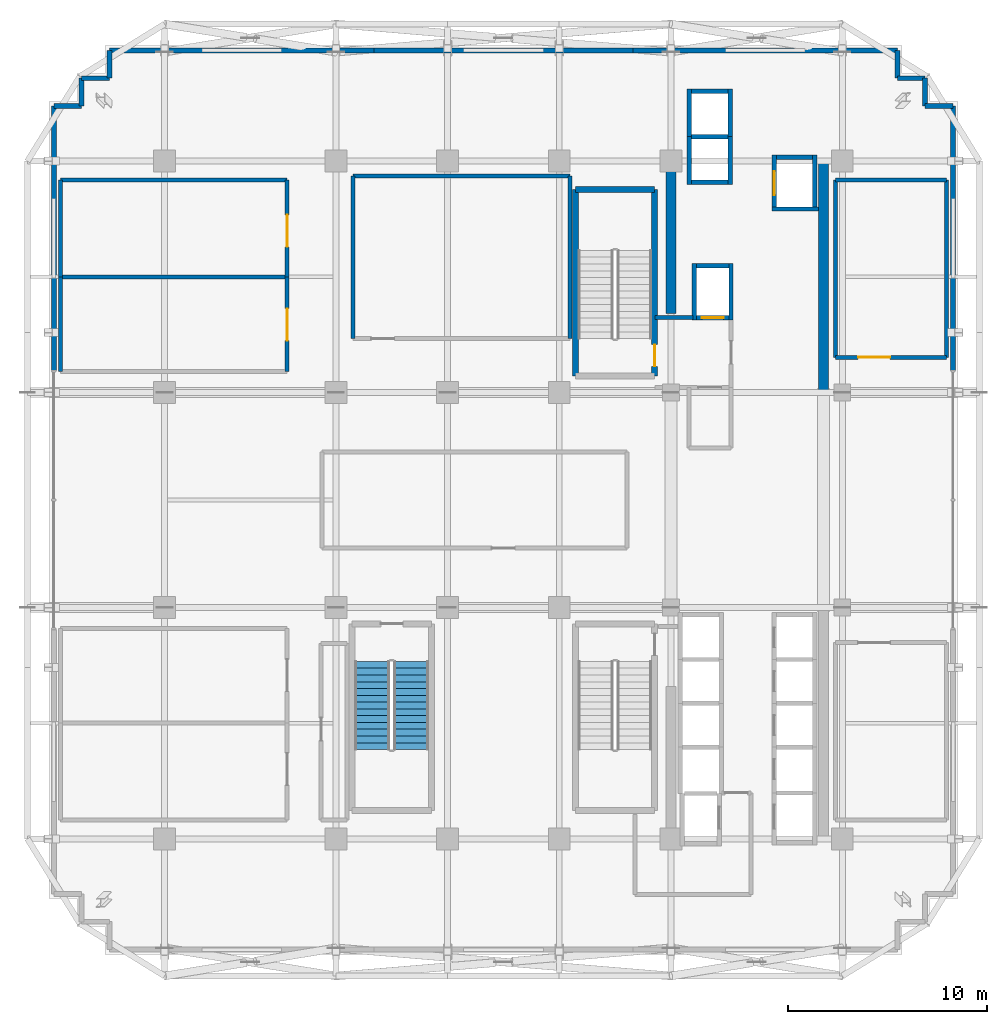
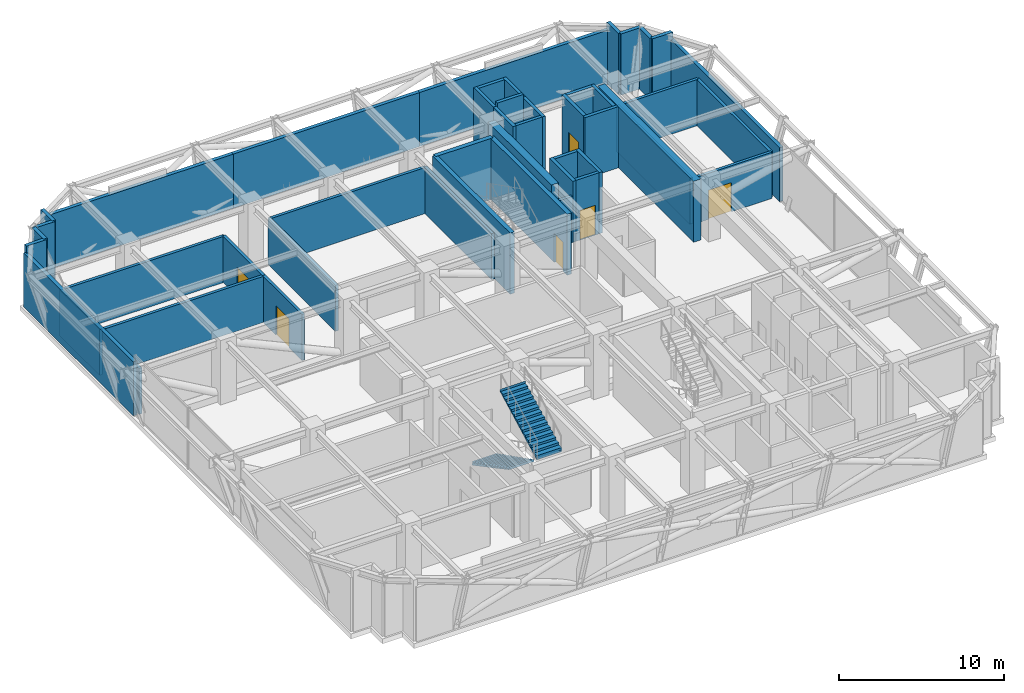
# One storey, part 11 of 16: 47 walls, 6 doors, 2 stair flights, 6 openings, 1 element without a shape of its own.
"""IFC4 building model written with IfcOpenShell, lengths in metres."""

from ifc_helpers import new_model, si_unit, direction, frame, frame_2d, origin, place, context, subcontext, project, spatial, polyline, rectangle, outline, extrude, source, transform, mapped, material, layer, layer_set, type_object, element, fill, aggregate, save


model = new_model("IFC4")

# Units and contexts
model_context = context("Model", 3, precision=1e-05, world=origin(), true_north=direction((0.0, 1.0)))
body_context = subcontext(model_context, "Body", "Model", "MODEL_VIEW")
ifc_project = project(units=[si_unit("LENGTHUNIT", "METRE"), si_unit("AREAUNIT", "SQUARE_METRE"), si_unit("VOLUMEUNIT", "CUBIC_METRE"), si_unit("PLANEANGLEUNIT", "RADIAN"), si_unit("MASSUNIT", "GRAM", prefix="KILO")], contexts=[model_context])

# Site, building, storey
site_placement = place(None, origin())
site = spatial("IfcSite", under=ifc_project, at=site_placement, CompositionType="ELEMENT")
building_placement = place(site_placement, origin())
building = spatial("IfcBuilding", under=site, at=building_placement, Name="Nahalor Promenade Grand Hotel", CompositionType="ELEMENT")
storey_placement = place(building_placement, frame((0.0, 0.0, 200.10009765625)))
storey = spatial("IfcBuildingStorey", under=building, at=storey_placement, Name="L51", CompositionType="ELEMENT", Elevation=200.10009765625)

# Walls
ifc_material_1 = material(Name="Concrete B-60 (C50/60)", Category="concrete")
ifc_layer_1 = layer(ifc_material_1, 0.5)
ifc_layer_set_1 = layer_set([ifc_layer_1], Name="Concrete B-60 (C50/60)")
wall_type_1 = type_object("IfcWallType", Name="Wall-CoreShear-500", PredefinedType="SHEAR", material=ifc_layer_set_1)
shared_shape_1 = source(origin(), body_context, "Body", "SweptSolid", [
    extrude(rectangle(XDim=7.64990234375, YDim=0.5, at=frame_2d((3.824951171875, 0.0))), origin(), (0.0, 0.0, 1.0), 4.510009765625),
])
wall_1_placement = place(storey_placement, frame((8.39990234375, 9.35009765625, 0.0), z_axis=(0.0, 0.0, 1.0), x_axis=(0.0, 1.0, 0.0)))
element("IfcWall", 1, at=wall_1_placement, inside=storey, type_object=wall_type_1, Name="CWALL-L51-NW", PredefinedType="SHEAR", context=body_context, shape_type="MappedRepresentation", body=[
    mapped(shared_shape_1, transform((0.0, 0.0, 0.0), scale=1.0)),
])
shared_shape_2 = source(origin(), body_context, "Body", "SweptSolid", [
    extrude(rectangle(XDim=11.60009765625, YDim=0.5, at=frame_2d((5.800048828125, 0.0))), origin(), (0.0, 0.0, 1.0), 4.510009765625),
])
wall_2_placement = place(storey_placement, frame((16.050048828125, 5.39990234375, 0.0), z_axis=(0.0, 0.0, 1.0), x_axis=(0.0, 1.0, 0.0)))
element("IfcWall", 2, at=wall_2_placement, inside=storey, type_object=wall_type_1, Name="CWALL-L51-NE", PredefinedType="SHEAR", context=body_context, shape_type="MappedRepresentation", body=[
    mapped(shared_shape_2, transform((0.0, 0.0, 0.0), scale=1.0)),
])
ifc_material_2 = material(Name="Concrete B-50 (C40/50)", Category="concrete")
ifc_layer_2 = layer(ifc_material_2, 0.300048828125)
ifc_layer_set_2 = layer_set([ifc_layer_2], Name="Concrete B-50 (C40/50)")
wall_type_2 = type_object("IfcWallType", Name="Wall-ShaftShear-300", PredefinedType="SHEAR", material=ifc_layer_set_2)
shared_shape_3 = source(origin(), body_context, "Body", "SweptSolid", [
    extrude(rectangle(XDim=3.97998046875, YDim=0.300048828125, at=frame_2d((1.989990234375, 0.0))), origin(), (0.0, 0.0, 1.0), 4.510009765625),
])
wall_3_placement = place(storey_placement, frame((3.610107421875, 15.590087890625, 0.0), z_axis=(0.0, 0.0, 1.0), x_axis=(1.0, 0.0, 0.0)))
element("IfcWall", 3, at=wall_3_placement, inside=storey, type_object=wall_type_2, Name="L51 Exit Stair ST1 Shaft Wall N", PredefinedType="SHEAR", context=body_context, shape_type="MappedRepresentation", body=[
    mapped(shared_shape_3, transform((0.0, 0.0, 0.0), scale=1.0)),
])
shared_shape_4 = source(origin(), body_context, "Body", "SweptSolid", [
    extrude(rectangle(XDim=9.380126953125, YDim=0.300048828125, at=frame_2d((4.68994140625, 0.0))), origin(), (0.0, 0.0, 1.0), 4.510009765625),
])
wall_4_placement = place(storey_placement, frame((3.610107421875, 6.2099609375, 0.0), z_axis=(0.0, 0.0, 1.0), x_axis=(0.0, 1.0, 0.0)))
element("IfcWall", 4, at=wall_4_placement, inside=storey, type_object=wall_type_2, Name="L51 Exit Stair ST1 Shaft Wall W", PredefinedType="SHEAR", context=body_context, shape_type="MappedRepresentation", body=[
    mapped(shared_shape_4, transform((0.0, 0.0, 0.0), scale=1.0)),
])

# Wall, opening, door
wall_5_placement = place(storey_placement, frame((7.590087890625, 6.2099609375, 0.0), z_axis=(0.0, 0.0, 1.0), x_axis=(0.0, 1.0, 0.0)))
wall_5 = element("IfcWall", 5, at=wall_5_placement, inside=storey, type_object=wall_type_2, Name="L51 Exit Stair ST1 Shaft Wall E", PredefinedType="SHEAR", context=body_context, shape_type="MappedRepresentation", body=[
    mapped(shared_shape_4, transform((0.0, 0.0, 0.0), scale=1.0)),
])
opening_1_placement = place(wall_5_placement, frame((0.489990234375, 0.0, 0.0)))
opening_1 = element("IfcOpeningElement", 6, at=opening_1_placement, cuts=wall_5, Name="Opening D-ST1", PredefinedType="OPENING", context=body_context, shape_type="SweptSolid", body=[
    extrude(rectangle(XDim=1.10009765625, YDim=2.14990234375, at=frame_2d((0.550048828125, 1.074951171875))), frame((0.0, 0.159912109375, 0.0), z_axis=(0.0, -1.0, 0.0), x_axis=(1.0, 0.0, 0.0)), (0.0, 0.0, 1.0), 0.320068359375),
])
ifc_material_3 = material(Name="Steel S355JR", Category="steel")
door_type_1 = type_object("IfcDoorType", Name="Door-StairFire-1100", OperationType="NOTDEFINED", PredefinedType="DOOR", material=ifc_material_3)
shared_shape_5 = source(origin(), body_context, "Body", "SweptSolid", [
    extrude(rectangle(XDim=1.10009765625, YDim=2.14990234375, at=frame_2d((0.550048828125, 1.074951171875))), frame((0.0, 0.02490234375, 0.0), z_axis=(0.0, -1.0, 0.0), x_axis=(1.0, 0.0, 0.0)), (0.0, 0.0, 1.0), 0.050048828125),
])
door_1_placement = place(opening_1_placement, origin())
door_1 = element("IfcDoor", 7, at=door_1_placement, inside=storey, type_object=door_type_1, Name="DR-STAIR-ST1-L51", OperationType="SINGLE_SWING_RIGHT", OverallHeight=2.14990234375, OverallWidth=1.10009765625, PredefinedType="DOOR", context=body_context, shape_type="MappedRepresentation", body=[
    mapped(shared_shape_5, transform((0.0, 0.0, 0.0), scale=1.0)),
])
fill(opening_1, door_1)

# Walls
ifc_layer_3 = layer(ifc_material_2, 0.219970703125)
ifc_layer_set_3 = layer_set([ifc_layer_3], Name="Concrete B-50 (C40/50)")
wall_type_3 = type_object("IfcWallType", Name="Wall-LiftShaft-220", PredefinedType="SHEAR", material=ifc_layer_set_3)
shared_shape_6 = source(origin(), body_context, "Body", "SweptSolid", [
    extrude(rectangle(XDim=1.820068359375, YDim=0.219970703125, at=frame_2d((0.91015625, 0.0))), origin(), (0.0, 0.0, 1.0), 4.510009765625),
])
for number, where, z_axis, x_axis, name in (
    (8, (9.43994140625, 15.949951171875, 0.0), (0.0, 0.0, 1.0), (1.0, 0.0, 0.0), "L51 Lift OB1 Hoistway Wall S"),
    (9, (9.43994140625, 20.5, 0.0), (0.0, 0.0, 1.0), (1.0, 0.0, 0.0), "L51 Lift OB2 Hoistway Wall N"),
    (10, (13.68994140625, 17.199951171875, 0.0), (0.0, 0.0, 1.0), (1.0, 0.0, 0.0), "L51 Lift SV1 Hoistway Wall N"),
):
    element("IfcWall", number, at=place(storey_placement, frame(where, z_axis=z_axis, x_axis=x_axis)), inside=storey, type_object=wall_type_3, Name=name, PredefinedType="SHEAR", context=body_context, shape_type="MappedRepresentation", body=[
        mapped(shared_shape_6, transform((0.0, 0.0, 0.0), scale=1.0)),
    ])
shared_shape_7 = source(origin(), body_context, "Body", "SweptSolid", [
    extrude(rectangle(XDim=1.820068359375, YDim=0.219970703125, at=frame_2d((0.91015625, 0.0))), origin(), (0.0, 0.0, 1.0), 4.7998046875),
])
wall_6_placement = place(storey_placement, frame((9.43994140625, 18.22509765625, 0.0), z_axis=(0.0, 0.0, 1.0), x_axis=(1.0, 0.0, 0.0)))
element("IfcWall", 11, at=wall_6_placement, inside=storey, type_object=wall_type_3, Name="L51 Lift OB1 Hoistway Wall N", PredefinedType="SHEAR", context=body_context, shape_type="MappedRepresentation", body=[
    mapped(shared_shape_7, transform((0.0, 0.0, 0.0), scale=1.0)),
])
shared_shape_8 = source(origin(), body_context, "Body", "SweptSolid", [
    extrude(rectangle(XDim=2.385009765625, YDim=0.219970703125, at=frame_2d((1.1923828125, 0.0))), origin(), (0.0, 0.0, 1.0), 4.510009765625),
])
for number, where, z_axis, x_axis, name in (
    (12, (9.330078125, 15.840087890625, 0.0), (0.0, 0.0, 1.0), (0.0, 1.0, 0.0), "L51 Lift OB1 Hoistway Wall W"),
    (13, (11.3701171875, 15.840087890625, 0.0), (0.0, 0.0, 1.0), (0.0, 1.0, 0.0), "L51 Lift OB1 Hoistway Wall E"),
    (14, (9.330078125, 18.22509765625, 0.0), (0.0, 0.0, 1.0), (0.0, 1.0, 0.0), "L51 Lift OB2 Hoistway Wall W"),
    (15, (11.3701171875, 18.22509765625, 0.0), (0.0, 0.0, 1.0), (0.0, 1.0, 0.0), "L51 Lift OB2 Hoistway Wall E"),
):
    element("IfcWall", number, at=place(storey_placement, frame(where, z_axis=z_axis, x_axis=x_axis)), inside=storey, type_object=wall_type_3, Name=name, PredefinedType="SHEAR", context=body_context, shape_type="MappedRepresentation", body=[
        mapped(shared_shape_8, transform((0.0, 0.0, 0.0), scale=1.0)),
    ])
shared_shape_9 = source(origin(), body_context, "Body", "SweptSolid", [
    extrude(rectangle(XDim=2.820068359375, YDim=0.219970703125, at=frame_2d((1.41015625, 0.0))), origin(), (0.0, 0.0, 1.0), 4.510009765625),
])
for number, where, z_axis, x_axis, name in (
    (16, (9.580078125, 9.0400390625, 0.0), (0.0, 0.0, 1.0), (0.0, 1.0, 0.0), "L51 Lift FL1 Hoistway Wall W"),
    (17, (11.419921875, 9.0400390625, 0.0), (0.0, 0.0, 1.0), (0.0, 1.0, 0.0), "L51 Lift FL1 Hoistway Wall E"),
):
    element("IfcWall", number, at=place(storey_placement, frame(where, z_axis=z_axis, x_axis=x_axis)), inside=storey, type_object=wall_type_3, Name=name, PredefinedType="SHEAR", context=body_context, shape_type="MappedRepresentation", body=[
        mapped(shared_shape_9, transform((0.0, 0.0, 0.0), scale=1.0)),
    ])

# Wall, opening, door
shared_shape_10 = source(origin(), body_context, "Body", "SweptSolid", [
    extrude(rectangle(XDim=1.6201171875, YDim=0.219970703125, at=frame_2d((0.81005859375, 0.0))), origin(), (0.0, 0.0, 1.0), 4.510009765625),
])
wall_7_placement = place(storey_placement, frame((9.68994140625, 9.14990234375, 0.0), z_axis=(0.0, 0.0, 1.0), x_axis=(1.0, 0.0, 0.0)))
wall_7 = element("IfcWall", 18, at=wall_7_placement, inside=storey, type_object=wall_type_3, Name="L51 Lift FL1 Hoistway Wall S", PredefinedType="SHEAR", context=body_context, shape_type="MappedRepresentation", body=[
    mapped(shared_shape_10, transform((0.0, 0.0, 0.0), scale=1.0)),
])
opening_2_placement = place(wall_7_placement, frame((0.260009765625, 0.0, 0.0)))
opening_2 = element("IfcOpeningElement", 19, at=opening_2_placement, cuts=wall_7, Name="Opening LD-02", PredefinedType="OPENING", context=body_context, shape_type="SweptSolid", body=[
    extrude(rectangle(XDim=1.10009765625, YDim=2.199951171875, at=frame_2d((0.550048828125, 1.10009765625))), frame((0.0, 0.119873046875, 0.0), z_axis=(0.0, -1.0, 0.0), x_axis=(1.0, 0.0, 0.0)), (0.0, 0.0, 1.0), 0.239990234375),
])
door_type_2 = type_object("IfcDoorType", Name="Door-LiftFF-1100", OperationType="DOUBLE_DOOR_SLIDING", PredefinedType="DOOR", material=ifc_material_3)
shared_shape_11 = source(origin(), body_context, "Body", "SweptSolid", [
    extrude(rectangle(XDim=1.10009765625, YDim=2.199951171875, at=frame_2d((0.550048828125, 1.10009765625))), frame((0.0, 0.02490234375, 0.0), z_axis=(0.0, -1.0, 0.0), x_axis=(1.0, 0.0, 0.0)), (0.0, 0.0, 1.0), 0.050048828125),
])
door_2_placement = place(opening_2_placement, frame((1.10009765625, 0.0, 0.0), z_axis=(0.0, 0.0, 1.0), x_axis=(-1.0, 0.0, 0.0)))
door_2 = element("IfcDoor", 20, at=door_2_placement, inside=storey, type_object=door_type_2, Name="DR-LIFT-FL1-L51", OperationType="DOUBLE_DOOR_SLIDING", OverallHeight=2.199951171875, OverallWidth=1.10009765625, PredefinedType="DOOR", context=body_context, shape_type="MappedRepresentation", body=[
    mapped(shared_shape_11, transform((0.0, 0.0, 0.0), scale=1.0)),
])
fill(opening_2, door_2)

# Wall
wall_8_placement = place(storey_placement, frame((9.68994140625, 11.75, 0.0), z_axis=(0.0, 0.0, 1.0), x_axis=(1.0, 0.0, 0.0)))
element("IfcWall", 21, at=wall_8_placement, inside=storey, type_object=wall_type_3, Name="L51 Lift FL1 Hoistway Wall N", PredefinedType="SHEAR", context=body_context, shape_type="MappedRepresentation", body=[
    mapped(shared_shape_10, transform((0.0, 0.0, 0.0), scale=1.0)),
])

# Wall, opening, door
shared_shape_12 = source(origin(), body_context, "Body", "SweptSolid", [
    extrude(rectangle(XDim=2.60009765625, YDim=0.219970703125, at=frame_2d((1.300048828125, 0.0))), origin(), (0.0, 0.0, 1.0), 4.510009765625),
])
wall_9_placement = place(storey_placement, frame((13.580078125, 14.7099609375, 0.0), z_axis=(0.0, 0.0, 1.0), x_axis=(0.0, 1.0, 0.0)))
wall_9 = element("IfcWall", 22, at=wall_9_placement, inside=storey, type_object=wall_type_3, Name="L51 Lift SV1 Hoistway Wall W", PredefinedType="SHEAR", context=body_context, shape_type="MappedRepresentation", body=[
    mapped(shared_shape_12, transform((0.0, 0.0, 0.0), scale=1.0)),
])
opening_3_placement = place(wall_9_placement, frame((0.590087890625, 0.0, 0.0)))
opening_3 = element("IfcOpeningElement", 23, at=opening_3_placement, cuts=wall_9, Name="Opening LD-03", PredefinedType="OPENING", context=body_context, shape_type="SweptSolid", body=[
    extrude(rectangle(XDim=1.199951171875, YDim=2.199951171875, at=frame_2d((0.60009765625, 1.10009765625))), frame((0.0, 0.119873046875, 0.0), z_axis=(0.0, -1.0, 0.0), x_axis=(1.0, 0.0, 0.0)), (0.0, 0.0, 1.0), 0.239990234375),
])
door_type_3 = type_object("IfcDoorType", Name="Door-LiftService-1200", OperationType="DOUBLE_DOOR_SLIDING", PredefinedType="DOOR", material=ifc_material_3)
shared_shape_13 = source(origin(), body_context, "Body", "SweptSolid", [
    extrude(rectangle(XDim=1.199951171875, YDim=2.199951171875, at=frame_2d((0.60009765625, 1.10009765625))), frame((0.0, 0.02490234375, 0.0), z_axis=(0.0, -1.0, 0.0), x_axis=(1.0, 0.0, 0.0)), (0.0, 0.0, 1.0), 0.050048828125),
])
door_3_placement = place(opening_3_placement, origin())
door_3 = element("IfcDoor", 24, at=door_3_placement, inside=storey, type_object=door_type_3, Name="DR-LIFT-SV1-L51", OperationType="DOUBLE_DOOR_SLIDING", OverallHeight=2.199951171875, OverallWidth=1.199951171875, PredefinedType="DOOR", context=body_context, shape_type="MappedRepresentation", body=[
    mapped(shared_shape_13, transform((0.0, 0.0, 0.0), scale=1.0)),
])
fill(opening_3, door_3)

# Walls
wall_10_placement = place(storey_placement, frame((15.6201171875, 14.7099609375, 0.0), z_axis=(0.0, 0.0, 1.0), x_axis=(0.0, 1.0, 0.0)))
element("IfcWall", 25, at=wall_10_placement, inside=storey, type_object=wall_type_3, Name="L51 Lift SV1 Hoistway Wall E", PredefinedType="SHEAR", context=body_context, shape_type="MappedRepresentation", body=[
    mapped(shared_shape_12, transform((0.0, 0.0, 0.0), scale=1.0)),
])
shared_shape_14 = source(origin(), body_context, "Body", "SweptSolid", [
    extrude(rectangle(XDim=2.330078125, YDim=0.219970703125, at=frame_2d((1.1650390625, 0.0))), origin(), (0.0, 0.0, 1.0), 4.510009765625),
])
wall_11_placement = place(storey_placement, frame((13.469970703125, 14.60009765625, 0.0), z_axis=(0.0, 0.0, 1.0), x_axis=(1.0, 0.0, 0.0)))
element("IfcWall", 26, at=wall_11_placement, inside=storey, type_object=wall_type_3, Name="L51 Lift SV1 Hoistway Wall S", PredefinedType="SHEAR", context=body_context, shape_type="MappedRepresentation", body=[
    mapped(shared_shape_14, transform((0.0, 0.0, 0.0), scale=1.0)),
])
ifc_material_4 = material(Name="Concrete B-40 (C32/40)", Category="concrete")
ifc_layer_4 = layer(ifc_material_4, 0.25)
ifc_layer_set_4 = layer_set([ifc_layer_4], Name="Concrete B-40 (C32/40)")
wall_type_4 = type_object("IfcWallType", Name="Wall-BronzePier-250", PredefinedType="STANDARD", material=ifc_layer_set_4)
shared_shape_15 = source(origin(), body_context, "Body", "SweptSolid", [
    extrude(rectangle(XDim=1.400146484375, YDim=0.25, at=frame_2d((0.7001953125, 0.0))), origin(), (0.0, 0.0, 1.0), 4.510009765625),
])
for number, where, z_axis, x_axis, name in (
    (27, (21.159912109375, 19.760009765625, 0.0), (0.0, 0.0, 1.0), (1.0, 0.0, 0.0), "W-L51-SR-05"),
    (28, (19.760009765625, 21.159912109375, 0.0), (0.0, 0.0, 1.0), (0.0, 1.0, 0.0), "W-L51-SR-08"),
    (29, (-19.760009765625, 21.159912109375, 0.0), (0.0, 0.0, 1.0), (0.0, 1.0, 0.0), "W-L51-SR-09"),
    (30, (-22.56005859375, 19.760009765625, 0.0), (0.0, 0.0, 1.0), (1.0, 0.0, 0.0), "W-L51-SR-12"),
):
    element("IfcWall", number, at=place(storey_placement, frame(where, z_axis=z_axis, x_axis=x_axis)), inside=storey, type_object=wall_type_4, Name=name, PredefinedType="STANDARD", context=body_context, shape_type="MappedRepresentation", body=[
        mapped(shared_shape_15, transform((0.0, 0.0, 0.0), scale=1.0)),
    ])
shared_shape_16 = source(origin(), body_context, "Body", "SweptSolid", [
    extrude(rectangle(XDim=1.39990234375, YDim=0.25, at=frame_2d((0.699951171875, 0.0))), origin(), (0.0, 0.0, 1.0), 4.510009765625),
])
for number, where, z_axis, x_axis, name in (
    (31, (21.159912109375, 19.760009765625, 0.0), (0.0, 0.0, 1.0), (0.0, 1.0, 0.0), "W-L51-SR-06"),
    (32, (19.760009765625, 21.159912109375, 0.0), (0.0, 0.0, 1.0), (1.0, 0.0, 0.0), "W-L51-SR-07"),
    (33, (-21.159912109375, 21.159912109375, 0.0), (0.0, 0.0, 1.0), (1.0, 0.0, 0.0), "W-L51-SR-10"),
    (34, (-21.159912109375, 19.760009765625, 0.0), (0.0, 0.0, 1.0), (0.0, 1.0, 0.0), "W-L51-SR-11"),
):
    element("IfcWall", number, at=place(storey_placement, frame(where, z_axis=z_axis, x_axis=x_axis)), inside=storey, type_object=wall_type_4, Name=name, PredefinedType="STANDARD", context=body_context, shape_type="MappedRepresentation", body=[
        mapped(shared_shape_16, transform((0.0, 0.0, 0.0), scale=1.0)),
    ])
shared_shape_17 = source(origin(), body_context, "Body", "SweptSolid", [
    extrude(rectangle(XDim=13.260009765625, YDim=0.25, at=frame_2d((6.6298828125, 0.0))), origin(), (0.0, 0.0, 1.0), 3.989990234375),
])
for number, where, z_axis, x_axis, name in (
    (35, (-19.760009765625, 22.56005859375, 0.0), (0.0, 0.0, 1.0), (1.0, 0.0, 0.0), "W-L51-PL-NL"),
    (36, (6.5, 22.56005859375, 0.0), (0.0, 0.0, 1.0), (1.0, 0.0, 0.0), "W-L51-PL-NR"),
    (37, (-22.56005859375, 6.5, 0.0), (0.0, 0.0, 1.0), (0.0, 1.0, 0.0), "W-L51-PL-WR"),
    (38, (22.56005859375, 6.5, 0.0), (0.0, 0.0, 1.0), (0.0, 1.0, 0.0), "W-L51-PL-ER"),
):
    element("IfcWall", number, at=place(storey_placement, frame(where, z_axis=z_axis, x_axis=x_axis)), inside=storey, type_object=wall_type_4, Name=name, PredefinedType="STANDARD", context=body_context, shape_type="MappedRepresentation", body=[
        mapped(shared_shape_17, transform((0.0, 0.0, 0.0), scale=1.0)),
    ])
shared_shape_18 = source(origin(), body_context, "Body", "SweptSolid", [
    extrude(rectangle(XDim=13.0, YDim=0.25, at=frame_2d((6.5, 0.0))), origin(), (0.0, 0.0, 1.0), 3.989990234375),
])
wall_12_placement = place(storey_placement, frame((-6.5, 22.56005859375, 0.0), z_axis=(0.0, 0.0, 1.0), x_axis=(1.0, 0.0, 0.0)))
element("IfcWall", 39, at=wall_12_placement, inside=storey, type_object=wall_type_4, Name="W-L51-PL-NM", PredefinedType="STANDARD", context=body_context, shape_type="MappedRepresentation", body=[
    mapped(shared_shape_18, transform((0.0, 0.0, 0.0), scale=1.0)),
])
ifc_layer_5 = layer(ifc_material_4, 0.199951171875)
ifc_layer_set_5 = layer_set([ifc_layer_5], Name="Concrete B-40 (C32/40)")
wall_type_5 = type_object("IfcWallType", Name="Wall-PartFire-200", PredefinedType="PARTITIONING", material=ifc_layer_set_5)
shared_shape_19 = source(origin(), body_context, "Body", "SweptSolid", [
    extrude(rectangle(XDim=1.89990234375, YDim=0.199951171875, at=frame_2d((0.949951171875, 0.0))), origin(), (0.0, 0.0, 1.0), 3.39990234375),
])
wall_13_placement = place(storey_placement, frame((7.60009765625, 9.14990234375, 0.0), z_axis=(0.0, 0.0, 1.0), x_axis=(1.0, 0.0, 0.0)))
element("IfcWall", 40, at=wall_13_placement, inside=storey, type_object=wall_type_5, Name="W-L51-FF1-N", PredefinedType="PARTITIONING", context=body_context, shape_type="MappedRepresentation", body=[
    mapped(shared_shape_19, transform((0.0, 0.0, 0.0), scale=1.0)),
])
shared_shape_20 = source(origin(), body_context, "Body", "SweptSolid", [
    extrude(rectangle(XDim=10.89013671875, YDim=0.199951171875, at=frame_2d((5.445068359375, 0.0))), origin(), (0.0, 0.0, 1.0), 3.39990234375),
])
wall_14_placement = place(storey_placement, frame((-7.550048828125, 16.25, 0.0), z_axis=(0.0, 0.0, 1.0), x_axis=(1.0, 0.0, 0.0)))
element("IfcWall", 41, at=wall_14_placement, inside=storey, type_object=wall_type_5, Name="W-L51-REF2-N", PredefinedType="PARTITIONING", context=body_context, shape_type="MappedRepresentation", body=[
    mapped(shared_shape_20, transform((0.0, 0.0, 0.0), scale=1.0)),
])
shared_shape_21 = source(origin(), body_context, "Body", "SweptSolid", [
    extrude(rectangle(XDim=8.14990234375, YDim=0.199951171875, at=frame_2d((4.074951171875, 0.0))), origin(), (0.0, 0.0, 1.0), 3.39990234375),
])
for number, where, z_axis, x_axis, name in (
    (42, (-7.550048828125, 8.10009765625, 0.0), (0.0, 0.0, 1.0), (0.0, 1.0, 0.0), "W-L51-REF2-W"),
    (43, (3.340087890625, 8.10009765625, 0.0), (0.0, 0.0, 1.0), (0.0, 1.0, 0.0), "W-L51-REF2-E"),
):
    element("IfcWall", number, at=place(storey_placement, frame(where, z_axis=z_axis, x_axis=x_axis)), inside=storey, type_object=wall_type_5, Name=name, PredefinedType="PARTITIONING", context=body_context, shape_type="MappedRepresentation", body=[
        mapped(shared_shape_21, transform((0.0, 0.0, 0.0), scale=1.0)),
    ])
shared_shape_22 = source(origin(), body_context, "Body", "SweptSolid", [
    extrude(rectangle(XDim=8.900146484375, YDim=0.199951171875, at=frame_2d((4.4501953125, 0.0))), origin(), (0.0, 0.0, 1.0), 3.39990234375),
])
for number, where, z_axis, x_axis, name in (
    (44, (16.64990234375, 7.14990234375, 0.0), (0.0, 0.0, 1.0), (0.0, 1.0, 0.0), "W-L51-MP5-W"),
    (45, (22.219970703125, 7.14990234375, 0.0), (0.0, 0.0, 1.0), (0.0, 1.0, 0.0), "W-L51-MP5-E"),
):
    element("IfcWall", number, at=place(storey_placement, frame(where, z_axis=z_axis, x_axis=x_axis)), inside=storey, type_object=wall_type_5, Name=name, PredefinedType="PARTITIONING", context=body_context, shape_type="MappedRepresentation", body=[
        mapped(shared_shape_22, transform((0.0, 0.0, 0.0), scale=1.0)),
    ])
shared_shape_23 = source(origin(), body_context, "Body", "SweptSolid", [
    extrude(rectangle(XDim=11.369873046875, YDim=0.199951171875, at=frame_2d((5.68505859375, 0.0))), origin(), (0.0, 0.0, 1.0), 3.39990234375),
])
for number, where, z_axis, x_axis, name in (
    (46, (-22.219970703125, 11.199951171875, 0.0), (0.0, 0.0, 1.0), (1.0, 0.0, 0.0), "W-L51-MP1-N"),
    (47, (-22.219970703125, 16.050048828125, 0.0), (0.0, 0.0, 1.0), (1.0, 0.0, 0.0), "W-L51-MP2-N"),
):
    element("IfcWall", number, at=place(storey_placement, frame(where, z_axis=z_axis, x_axis=x_axis)), inside=storey, type_object=wall_type_5, Name=name, PredefinedType="PARTITIONING", context=body_context, shape_type="MappedRepresentation", body=[
        mapped(shared_shape_23, transform((0.0, 0.0, 0.0), scale=1.0)),
    ])
shared_shape_24 = source(origin(), body_context, "Body", "SweptSolid", [
    extrude(rectangle(XDim=4.75, YDim=0.199951171875, at=frame_2d((2.375, 0.0))), origin(), (0.0, 0.0, 1.0), 3.39990234375),
])
wall_15_placement = place(storey_placement, frame((-22.219970703125, 6.449951171875, 0.0), z_axis=(0.0, 0.0, 1.0), x_axis=(0.0, 1.0, 0.0)))
element("IfcWall", 48, at=wall_15_placement, inside=storey, type_object=wall_type_5, Name="W-L51-MP1-W", PredefinedType="PARTITIONING", context=body_context, shape_type="MappedRepresentation", body=[
    mapped(shared_shape_24, transform((0.0, 0.0, 0.0), scale=1.0)),
])

# Wall, opening, door
wall_16_placement = place(storey_placement, frame((-10.85009765625, 6.449951171875, 0.0), z_axis=(0.0, 0.0, 1.0), x_axis=(0.0, 1.0, 0.0)))
wall_16 = element("IfcWall", 49, at=wall_16_placement, inside=storey, type_object=wall_type_5, Name="W-L51-MP1-E", PredefinedType="PARTITIONING", context=body_context, shape_type="MappedRepresentation", body=[
    mapped(shared_shape_24, transform((0.0, 0.0, 0.0), scale=1.0)),
])
opening_4_placement = place(wall_16_placement, frame((1.550048828125, 0.0, 0.0)))
opening_4 = element("IfcOpeningElement", 50, at=opening_4_placement, cuts=wall_16, Name="Opening D-06", PredefinedType="OPENING", context=body_context, shape_type="SweptSolid", body=[
    extrude(rectangle(XDim=1.60009765625, YDim=2.14990234375, at=frame_2d((0.800048828125, 1.074951171875))), frame((0.0, 0.10986328125, 0.0), z_axis=(0.0, -1.0, 0.0), x_axis=(1.0, 0.0, 0.0)), (0.0, 0.0, 1.0), 0.219970703125),
])
door_type_4 = type_object("IfcDoorType", Name="Door-PlantDouble-1600", OperationType="DOUBLE_DOOR_SINGLE_SWING", PredefinedType="DOOR", material=ifc_material_3)
shared_shape_25 = source(origin(), body_context, "Body", "SweptSolid", [
    extrude(rectangle(XDim=1.60009765625, YDim=2.14990234375, at=frame_2d((0.800048828125, 1.074951171875))), frame((0.0, 0.02490234375, 0.0), z_axis=(0.0, -1.0, 0.0), x_axis=(1.0, 0.0, 0.0)), (0.0, 0.0, 1.0), 0.050048828125),
])
door_4_placement = place(opening_4_placement, origin())
door_4 = element("IfcDoor", 51, at=door_4_placement, inside=storey, type_object=door_type_4, Name="DR-L51-MP1", OperationType="DOUBLE_DOOR_SINGLE_SWING", OverallHeight=2.14990234375, OverallWidth=1.60009765625, PredefinedType="DOOR", context=body_context, shape_type="MappedRepresentation", body=[
    mapped(shared_shape_25, transform((0.0, 0.0, 0.0), scale=1.0)),
])
fill(opening_4, door_4)

# Wall
shared_shape_26 = source(origin(), body_context, "Body", "SweptSolid", [
    extrude(rectangle(XDim=4.85009765625, YDim=0.199951171875, at=frame_2d((2.425048828125, 0.0))), origin(), (0.0, 0.0, 1.0), 3.39990234375),
])
wall_17_placement = place(storey_placement, frame((-22.219970703125, 11.199951171875, 0.0), z_axis=(0.0, 0.0, 1.0), x_axis=(0.0, 1.0, 0.0)))
element("IfcWall", 52, at=wall_17_placement, inside=storey, type_object=wall_type_5, Name="W-L51-MP2-W", PredefinedType="PARTITIONING", context=body_context, shape_type="MappedRepresentation", body=[
    mapped(shared_shape_26, transform((0.0, 0.0, 0.0), scale=1.0)),
])

# Wall, opening, door
wall_18_placement = place(storey_placement, frame((-10.85009765625, 11.199951171875, 0.0), z_axis=(0.0, 0.0, 1.0), x_axis=(0.0, 1.0, 0.0)))
wall_18 = element("IfcWall", 53, at=wall_18_placement, inside=storey, type_object=wall_type_5, Name="W-L51-MP2-E", PredefinedType="PARTITIONING", context=body_context, shape_type="MappedRepresentation", body=[
    mapped(shared_shape_26, transform((0.0, 0.0, 0.0), scale=1.0)),
])
opening_5_placement = place(wall_18_placement, frame((1.5, 0.0, 0.0)))
opening_5 = element("IfcOpeningElement", 54, at=opening_5_placement, cuts=wall_18, Name="Opening D-06", PredefinedType="OPENING", context=body_context, shape_type="SweptSolid", body=[
    extrude(rectangle(XDim=1.60009765625, YDim=2.14990234375, at=frame_2d((0.800048828125, 1.074951171875))), frame((0.0, 0.10986328125, 0.0), z_axis=(0.0, -1.0, 0.0), x_axis=(1.0, 0.0, 0.0)), (0.0, 0.0, 1.0), 0.219970703125),
])
door_5_placement = place(opening_5_placement, origin())
door_5 = element("IfcDoor", 55, at=door_5_placement, inside=storey, type_object=door_type_4, Name="DR-L51-MP2", OperationType="DOUBLE_DOOR_SINGLE_SWING", OverallHeight=2.14990234375, OverallWidth=1.60009765625, PredefinedType="DOOR", context=body_context, shape_type="MappedRepresentation", body=[
    mapped(shared_shape_25, transform((0.0, 0.0, 0.0), scale=1.0)),
])
fill(opening_5, door_5)

shared_shape_27 = source(origin(), body_context, "Body", "SweptSolid", [
    extrude(rectangle(XDim=5.570068359375, YDim=0.199951171875, at=frame_2d((2.78515625, 0.0))), origin(), (0.0, 0.0, 1.0), 3.39990234375),
])
wall_19_placement = place(storey_placement, frame((16.64990234375, 7.14990234375, 0.0), z_axis=(0.0, 0.0, 1.0), x_axis=(1.0, 0.0, 0.0)))
wall_19 = element("IfcWall", 56, at=wall_19_placement, inside=storey, type_object=wall_type_5, Name="W-L51-MP5-S", PredefinedType="PARTITIONING", context=body_context, shape_type="MappedRepresentation", body=[
    mapped(shared_shape_27, transform((0.0, 0.0, 0.0), scale=1.0)),
])
opening_6_placement = place(wall_19_placement, frame((1.14990234375, 0.0, 0.0)))
opening_6 = element("IfcOpeningElement", 57, at=opening_6_placement, cuts=wall_19, Name="Opening D-06", PredefinedType="OPENING", context=body_context, shape_type="SweptSolid", body=[
    extrude(rectangle(XDim=1.60009765625, YDim=2.14990234375, at=frame_2d((0.800048828125, 1.074951171875))), frame((0.0, 0.10986328125, 0.0), z_axis=(0.0, -1.0, 0.0), x_axis=(1.0, 0.0, 0.0)), (0.0, 0.0, 1.0), 0.219970703125),
])
door_6_placement = place(opening_6_placement, origin())
door_6 = element("IfcDoor", 58, at=door_6_placement, inside=storey, type_object=door_type_4, Name="DR-L51-MP5", OperationType="DOUBLE_DOOR_SINGLE_SWING", OverallHeight=2.14990234375, OverallWidth=1.60009765625, PredefinedType="DOOR", context=body_context, shape_type="MappedRepresentation", body=[
    mapped(shared_shape_25, transform((0.0, 0.0, 0.0), scale=1.0)),
])
fill(opening_6, door_6)

# Wall
wall_20_placement = place(storey_placement, frame((16.64990234375, 16.050048828125, 0.0), z_axis=(0.0, 0.0, 1.0), x_axis=(1.0, 0.0, 0.0)))
element("IfcWall", 59, at=wall_20_placement, inside=storey, type_object=wall_type_5, Name="W-L51-MP5-N", PredefinedType="PARTITIONING", context=body_context, shape_type="MappedRepresentation", body=[
    mapped(shared_shape_27, transform((0.0, 0.0, 0.0), scale=1.0)),
])

# Stair, stair flights
stair_type = type_object("IfcStairType", Name="Stair-ST3", PredefinedType="HALF_TURN_STAIR", material=ifc_material_2)
stair_placement = place(storey_placement, origin())
stair = element("IfcStair", 60, at=stair_placement, inside=storey, type_object=stair_type, Name="L51 ST3", PredefinedType="HALF_TURN_STAIR")
ifc_layer_6 = layer(ifc_material_2, 0.199951171875)
ifc_layer_set_6 = layer_set([ifc_layer_6], Name="Concrete B-50 (C40/50)")
stair_flight_type = type_object("IfcStairFlightType", Name="Flight-ST3", PredefinedType="STRAIGHT", material=ifc_layer_set_6)
shared_shape_28 = source(origin(), body_context, "Body", "SweptSolid", [
    extrude(outline(polyline([(-0.00390625, -0.1201171875), (-0.00390625, 0.0), (0.0, 0.0), (0.0, 0.17138671875), (0.340087890625, 0.17138671875), (0.340087890625, 0.3427734375), (0.679931640625, 0.3427734375), (0.679931640625, 0.514404296875), (1.02001953125, 0.514404296875), (1.02001953125, 0.685791015625), (1.360107421875, 0.685791015625), (1.360107421875, 0.857177734375), (1.699951171875, 0.857177734375), (1.699951171875, 1.028564453125), (2.0400390625, 1.028564453125), (2.0400390625, 1.199951171875), (2.3798828125, 1.199951171875), (2.3798828125, 1.371337890625), (2.719970703125, 1.371337890625), (2.719970703125, 1.54296875), (3.06005859375, 1.54296875), (3.06005859375, 1.71435546875), (3.39990234375, 1.71435546875), (3.39990234375, 1.8857421875), (3.739990234375, 1.8857421875), (3.739990234375, 2.05712890625), (4.080078125, 2.05712890625), (4.080078125, 2.228515625), (4.419921875, 2.228515625), (4.419921875, 2.39990234375), (4.424072265625, 2.39990234375), (4.424072265625, 2.219970703125), (0.02001953125, -0.1201171875), (-0.00390625, -0.1201171875)])), frame((0.0, 0.875, 0.0), z_axis=(0.0, -1.0, 0.0), x_axis=(1.0, 0.0, 0.0)), (0.0, 0.0, 1.0), 1.75),
])
stair_flight_1_placement = place(storey_placement, frame((-6.574951171875, -8.10009765625, 0.0), z_axis=(0.0, 0.0, 1.0), x_axis=(0.0, -1.0, 0.0)))
stair_flight_1 = element("IfcStairFlight", 61, at=stair_flight_1_placement, type_object=stair_flight_type, Name="ST3 flight 1", NumberOfRisers=14, NumberOfTreads=13, PredefinedType="STRAIGHT", RiserHeight=0.171428571, TreadLength=0.34, context=body_context, shape_type="MappedRepresentation", body=[
    mapped(shared_shape_28, transform((0.0, 0.0, 0.0), scale=1.0)),
])
stair_flight_2_placement = place(storey_placement, frame((-4.625, -12.52001953125, 2.39990234375), z_axis=(0.0, 0.0, 1.0), x_axis=(0.0, 1.0, 0.0)))
stair_flight_2 = element("IfcStairFlight", 62, at=stair_flight_2_placement, type_object=stair_flight_type, Name="ST3 flight 2", NumberOfRisers=14, NumberOfTreads=13, PredefinedType="STRAIGHT", RiserHeight=0.171428571, TreadLength=0.34, context=body_context, shape_type="MappedRepresentation", body=[
    mapped(shared_shape_28, transform((0.0, 0.0, 0.0), scale=1.0)),
])
aggregate(stair, [stair_flight_1, stair_flight_2])

save(model, "model.ifc")
